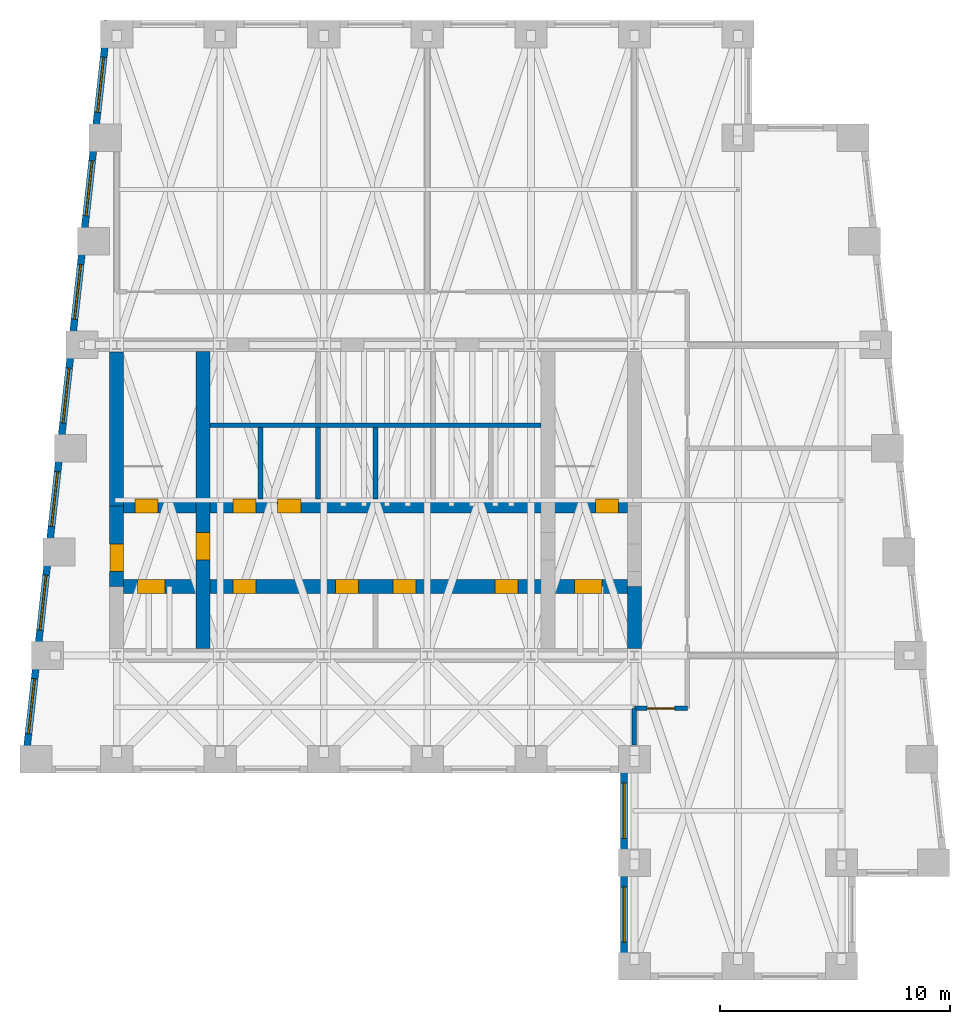
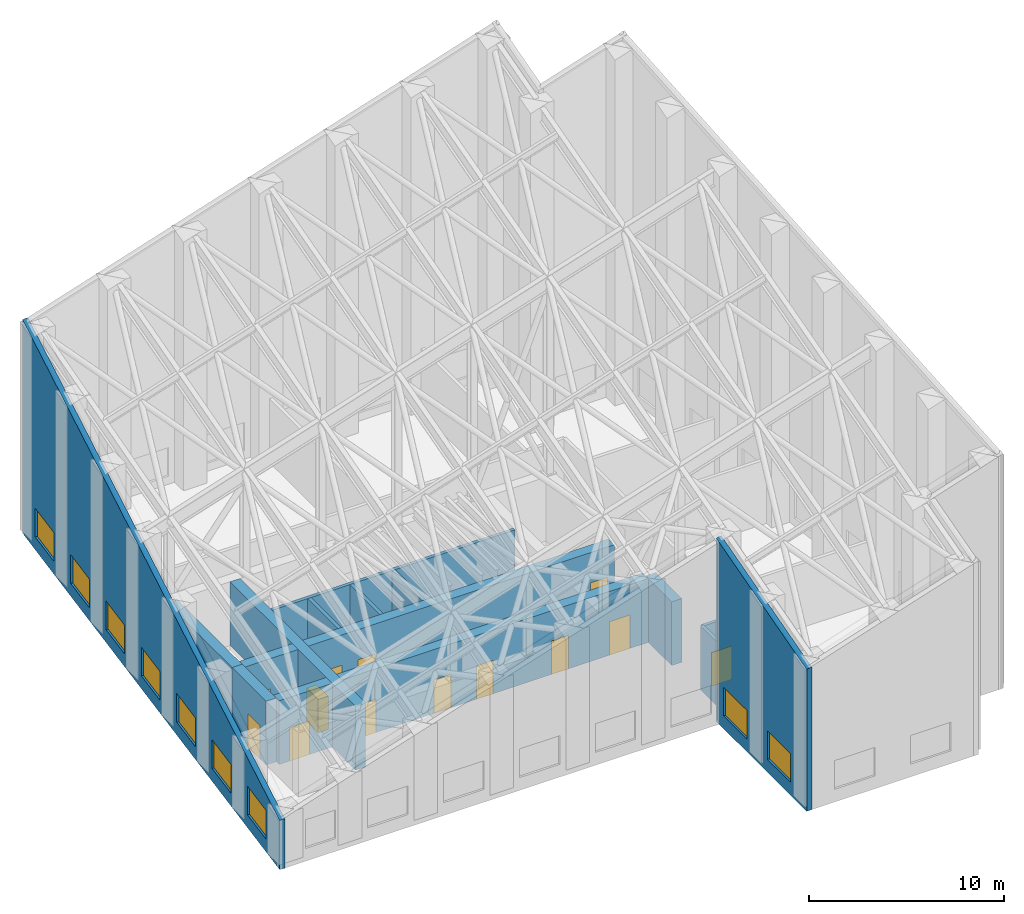
# One storey, part 4 of 7: 14 walls, 13 doors, 9 windows, 22 openings.
"""IFC4 building model written with IfcOpenShell, lengths in metres."""

import ifcopenshell
import ifcopenshell.guid

model = None  # the IFC model being written
_history = None  # IfcOwnerHistory: only IFC2X3 demands one
_inside = {}  # id of a spatial element -> (the spatial element, [elements in it])
_under = {}  # id of a project, library or spatial element -> (it, [spatial elements below it])
_declared = {}  # id of a project -> (the project, [libraries it declares])
_typed = {}  # id of a type object -> (the type object, [elements of that type])
_made_of = {}  # id of a material, layer set ... -> (it, [elements and type objects made of it])


def new_model(schema):
    """Start an empty IFC model of exactly this schema.

    Asked for "IFC4X3", IfcOpenShell would pick the latest addendum, in which some entities
    have other attributes; the version numbers below select the first issue.
    IFC2X3 requires an IfcOwnerHistory on every rooted entity: one is made here for all.
    """
    global model, _history
    if schema == "IFC4X3":
        model = ifcopenshell.file(schema_version=(4, 3, 0, 0))
    else:
        model = ifcopenshell.file(schema=schema)
    _inside.clear()
    _under.clear()
    _declared.clear()
    _typed.clear()
    _made_of.clear()
    _history = None
    if model.schema == "IFC2X3":
        org = make("IfcOrganization", Name="unknown")
        user = make(
            "IfcPersonAndOrganization",
            ThePerson=make("IfcPerson", FamilyName="unknown"),
            TheOrganization=org,
        )
        app = make(
            "IfcApplication",
            ApplicationDeveloper=org,
            Version="unknown",
            ApplicationFullName="unknown",
            ApplicationIdentifier="unknown",
        )
        _history = make(
            "IfcOwnerHistory",
            OwningUser=user,
            OwningApplication=app,
            ChangeAction="ADDED",
            CreationDate=0,
        )
    return model


def make(cls, **values):
    """One entity of the class cls with the attributes given. An attribute that is None is left unset."""
    return model.create_entity(
        cls, **{name: value for name, value in values.items() if value is not None}
    )


def rooted(cls, **values):
    """An entity with a GlobalId (a new one), such as an element, a storey or a relation."""
    return make(cls, GlobalId=ifcopenshell.guid.new(), OwnerHistory=_history, **values)


def si_unit(unit_type, name, prefix=None):
    """IfcSIUnit, for example si_unit("LENGTHUNIT", "METRE", prefix="MILLI")."""
    return make("IfcSIUnit", UnitType=unit_type, Prefix=prefix, Name=name)


def assignment(units):
    """IfcUnitAssignment: the units of a project."""
    return None if units is None else make("IfcUnitAssignment", Units=units)


def point(xyz):
    """IfcCartesianPoint."""
    return None if xyz is None else make("IfcCartesianPoint", Coordinates=xyz)


def direction(xyz):
    """IfcDirection."""
    return None if xyz is None else make("IfcDirection", DirectionRatios=xyz)


def frame(location, z_axis=None, x_axis=None):
    """IfcAxis2Placement3D, a coordinate frame: its origin and axes. An axis left out is left unset."""
    return make(
        "IfcAxis2Placement3D",
        Location=point(location),
        Axis=direction(z_axis),
        RefDirection=direction(x_axis),
    )


def frame_2d(location, x_axis=None):
    """IfcAxis2Placement2D, a coordinate frame in the plane: its origin and x axis."""
    return make(
        "IfcAxis2Placement2D", Location=point(location), RefDirection=direction(x_axis)
    )


def origin():
    """The frame at (0, 0, 0) with its axes left unset."""
    return frame((0.0, 0.0, 0.0))


def place(relative_to, where):
    """IfcLocalPlacement: puts the frame where relative to a parent placement (None: the world)."""
    return make(
        "IfcLocalPlacement", PlacementRelTo=relative_to, RelativePlacement=where
    )


def context(
    kind, dimensions, precision=None, world=None, true_north=None, identifier=None
):
    """IfcGeometricRepresentationContext, for example the 3D "Model" context."""
    return make(
        "IfcGeometricRepresentationContext",
        ContextIdentifier=identifier,
        ContextType=kind,
        CoordinateSpaceDimension=dimensions,
        Precision=precision,
        WorldCoordinateSystem=world,
        TrueNorth=true_north,
    )


def subcontext(parent, identifier, kind, view, scale=None):
    """IfcGeometricRepresentationSubContext, for example "Body" below "Model"."""
    return make(
        "IfcGeometricRepresentationSubContext",
        ContextIdentifier=identifier,
        ContextType=kind,
        ParentContext=parent,
        TargetScale=scale,
        TargetView=view,
    )


def project(units=None, contexts=None):
    """IfcProject with its units and contexts."""
    return rooted(
        "IfcProject",
        Name="project",
        RepresentationContexts=contexts,
        UnitsInContext=assignment(units),
    )


def spatial(cls, under=None, at=None, **own):
    """A site, building, storey or space (cls), placed at a placement, below another one or the project."""
    s = rooted(cls, ObjectPlacement=at, **own)
    if under is not None:
        _under.setdefault(under.id(), (under, []))[1].append(s)
    return s


def polyline(points):
    """IfcPolyline through the points."""
    return make("IfcPolyline", Points=[point(p) for p in points])


def profile(cls, at=None, kind="AREA", **sizes):
    """A parametric profile (cls). Its sizes go by their IFC names, for example OverallWidth=200.0."""
    return make(cls, ProfileType=kind, Position=at, **sizes)


def rectangle(**sizes):
    """IfcRectangleProfileDef."""
    return profile("IfcRectangleProfileDef", **sizes)


def outline(outer, holes=None, kind="AREA"):
    """IfcArbitraryClosedProfileDef: a profile drawn as a closed curve; with holes, ...WithVoids."""
    if holes is None:
        return make("IfcArbitraryClosedProfileDef", ProfileType=kind, OuterCurve=outer)
    return make(
        "IfcArbitraryProfileDefWithVoids",
        ProfileType=kind,
        OuterCurve=outer,
        InnerCurves=holes,
    )


def extrude(swept, where, along, depth):
    """IfcExtrudedAreaSolid: the profile swept, set in the frame where, extruded along a direction by depth."""
    return make(
        "IfcExtrudedAreaSolid",
        SweptArea=swept,
        Position=where,
        ExtrudedDirection=direction(along),
        Depth=depth,
    )


def clip(a, b, op="DIFFERENCE"):
    """IfcBooleanClippingResult: the solid a cut by the half space b."""
    return make(
        "IfcBooleanClippingResult", Operator=op, FirstOperand=a, SecondOperand=b
    )


def halfspace(plane, agree):
    """IfcHalfSpaceSolid: all space on one side of the plane z = 0 of the frame plane."""
    return make(
        "IfcHalfSpaceSolid",
        BaseSurface=make("IfcPlane", Position=plane),
        AgreementFlag=agree,
    )


def shape(context_of_items, identifier, shape_type, items):
    """IfcShapeRepresentation: the items that make up one representation, for example the "Body"."""
    return make(
        "IfcShapeRepresentation",
        ContextOfItems=context_of_items,
        RepresentationIdentifier=identifier,
        RepresentationType=shape_type,
        Items=items,
    )


def material(Name=None, Category=None):
    """IfcMaterial."""
    return make("IfcMaterial", Name=Name, Category=Category)


def layer(
    of_material, thickness, ventilated=None, Name=None, Category=None, Priority=None
):
    """IfcMaterialLayer: one layer of a wall or slab, of a material (None: an air gap)."""
    return make(
        "IfcMaterialLayer",
        Material=of_material,
        LayerThickness=thickness,
        IsVentilated=ventilated,
        Name=Name,
        Category=Category,
        Priority=Priority,
    )


def layer_set(layers, Name=None):
    """IfcMaterialLayerSet."""
    return make("IfcMaterialLayerSet", MaterialLayers=layers, LayerSetName=Name)


def made_of(thing, what):
    """Note that an element or type object is made of a material, layer set ...; save() writes the relation."""
    if what is not None:
        _made_of.setdefault(what.id(), (what, []))[1].append(thing)
    return thing


def type_object(cls, material=None, **own):
    """A type object (cls), such as IfcWallType, which elements share."""
    return made_of(rooted(cls, **own), material)


def element(
    cls,
    number,
    at=None,
    inside=None,
    cuts=None,
    type_object=None,
    material=None,
    context=None,
    identifier="Body",
    shape_type=None,
    held_by="IfcProductDefinitionShape",
    body=None,
    shapes=None,
    **own,
):
    """One element of the class cls, such as IfcWall. Its Tag is "e" and its number.

    at: its placement. inside: the storey or other place that contains it. cuts: it is an
    opening in that element (IfcRelVoidsElement). A single representation is given by context,
    identifier, shape_type and body (its items); several are given by shapes. held_by: the class
    of the entity that holds the representations. save() writes the other relations.
    """
    e = rooted(cls, Tag="e%d" % number, ObjectPlacement=at, **own)
    if body is not None:
        shapes = [shape(context, identifier, shape_type, body)]
    if shapes is not None:
        e.Representation = make(held_by, Representations=shapes)
    if inside is not None:
        _inside.setdefault(inside.id(), (inside, []))[1].append(e)
    if cuts is not None:
        rooted(
            "IfcRelVoidsElement", RelatingBuildingElement=cuts, RelatedOpeningElement=e
        )
    if type_object is not None:
        _typed.setdefault(type_object.id(), (type_object, []))[1].append(e)
    return made_of(e, material)


def fill(opening, filler):
    """IfcRelFillsElement: the door or window that sits in an opening."""
    return rooted(
        "IfcRelFillsElement",
        RelatingOpeningElement=opening,
        RelatedBuildingElement=filler,
    )


def aggregate(whole, parts):
    """IfcRelAggregates: a whole, such as a stair, and the parts it consists of."""
    return rooted("IfcRelAggregates", RelatingObject=whole, RelatedObjects=parts)


def save(model, path):
    """Write the relations noted so far, then the file.

    IfcRelAggregates (storeys below a building ...), IfcRelContainedInSpatialStructure (elements
    in a storey), IfcRelDefinesByType, IfcRelAssociatesMaterial and IfcRelDeclares: one each for
    every whole, place, type object, material and project.
    """
    for whole, parts in _under.values():
        aggregate(whole, parts)
    for where, things in _inside.values():
        rooted(
            "IfcRelContainedInSpatialStructure",
            RelatedElements=things,
            RelatingStructure=where,
        )
    for kind, things in _typed.values():
        rooted("IfcRelDefinesByType", RelatedObjects=things, RelatingType=kind)
    for what, things in _made_of.values():
        rooted("IfcRelAssociatesMaterial", RelatedObjects=things, RelatingMaterial=what)
    for by, libraries in _declared.values():
        rooted("IfcRelDeclares", RelatingContext=by, RelatedDefinitions=libraries)
    model.write(path)


model = new_model("IFC4")

# Units and contexts
model_context = context("Model", 3, precision=1e-05, world=origin(), true_north=direction((0.0, 1.0)))
body_context = subcontext(model_context, "Body", "Model", "MODEL_VIEW")
ifc_project = project(units=[si_unit("LENGTHUNIT", "METRE"), si_unit("AREAUNIT", "SQUARE_METRE"), si_unit("VOLUMEUNIT", "CUBIC_METRE"), si_unit("PLANEANGLEUNIT", "RADIAN"), si_unit("MASSUNIT", "GRAM", prefix="KILO")], contexts=[model_context])

# Site, building, storey
site_placement = place(None, origin())
site = spatial("IfcSite", under=ifc_project, at=site_placement, CompositionType="ELEMENT")
building_placement = place(site_placement, origin())
building = spatial("IfcBuilding", under=site, at=building_placement, Name="Kilele Tower Hotel", CompositionType="ELEMENT")
storey_placement = place(building_placement, frame((0.0, 0.0, 289.699951171875)))
storey = spatial("IfcBuildingStorey", under=building, at=storey_placement, Name="CROWN", CompositionType="ELEMENT", Elevation=289.699951171875)

# Wall, opening, door
ifc_material_1 = material(Name="Concrete C60/75", Category="concrete")
ifc_layer_1 = layer(ifc_material_1, 0.60009765625)
ifc_layer_set_1 = layer_set([ifc_layer_1], Name="Concrete C60/75")
wall_type_1 = type_object("IfcWallType", Name="Core wall 600 C60/75", PredefinedType="SHEAR", material=ifc_layer_set_1)
wall_1_placement = place(storey_placement, frame((17.25, 13.800048828125, 0.0), z_axis=(0.0, 0.0, 1.0), x_axis=(0.0, 1.0, 0.0)))
wall_1 = element("IfcWall", 1, at=wall_1_placement, inside=storey, type_object=wall_type_1, Name="Core wall IW CROWN", PredefinedType="SHEAR", context=body_context, shape_type="SweptSolid", body=[
    extrude(rectangle(XDim=12.89990234375, YDim=0.60009765625, at=frame_2d((6.449951171875, 0.0))), origin(), (0.0, 0.0, 1.0), 4.0),
])
opening_1_placement = place(wall_1_placement, frame((3.85009765625, 0.0, 0.0)))
opening_1 = element("IfcOpeningElement", 2, at=opening_1_placement, cuts=wall_1, Name="Opening D4", PredefinedType="OPENING", context=body_context, shape_type="SweptSolid", body=[
    extrude(rectangle(XDim=1.199951171875, YDim=2.10009765625, at=frame_2d((0.60009765625, 1.050048828125))), frame((0.0, 0.31005859375, 0.0), z_axis=(0.0, -1.0, 0.0), x_axis=(1.0, 0.0, 0.0)), (0.0, 0.0, 1.0), 0.6201171875),
])
ifc_material_2 = material(Name="Timber door leaf in hardwood frame", Category="wood")
door_type_1 = type_object("IfcDoorType", Name="Firefighting lobby door 1200", OperationType="SINGLE_SWING_LEFT", PredefinedType="DOOR", material=ifc_material_2)
door_1_placement = place(opening_1_placement, origin())
door_1 = element("IfcDoor", 3, at=door_1_placement, inside=storey, type_object=door_type_1, Name="Lobby door CROWN", OperationType="SINGLE_SWING_LEFT", OverallHeight=2.10009765625, OverallWidth=1.199951171875, PredefinedType="DOOR", context=body_context, shape_type="SweptSolid", body=[
    extrude(rectangle(XDim=1.199951171875, YDim=2.10009765625, at=frame_2d((0.60009765625, 1.050048828125))), frame((0.0, 0.2998046875, 0.0), z_axis=(0.0, -1.0, 0.0), x_axis=(1.0, 0.0, 0.0)), (0.0, 0.0, 1.0), 0.599609375),
])
fill(opening_1, door_1)

# Wall, openings, doors
wall_2_placement = place(storey_placement, frame((13.800048828125, 16.5, 0.0), z_axis=(0.0, 0.0, 1.0), x_axis=(1.0, 0.0, 0.0)))
wall_2 = element("IfcWall", 4, at=wall_2_placement, inside=storey, type_object=wall_type_1, Name="Core wall LS CROWN", PredefinedType="SHEAR", context=body_context, shape_type="SweptSolid", body=[
    extrude(rectangle(XDim=21.89990234375, YDim=0.60009765625, at=frame_2d((10.949951171875, 0.0))), origin(), (0.0, 0.0, 1.0), 4.0),
])
opening_2_placement = place(wall_2_placement, frame((5.75, 0.0, 0.0), z_axis=(0.0, 0.0, 1.0), x_axis=(-1.0, 0.0, 0.0)))
opening_2 = element("IfcOpeningElement", 5, at=opening_2_placement, cuts=wall_2, Name="Opening D11", PredefinedType="OPENING", context=body_context, shape_type="SweptSolid", body=[
    extrude(rectangle(XDim=1.0, YDim=2.10009765625, at=frame_2d((0.5, 1.050048828125))), frame((0.0, 0.31005859375, 0.0), z_axis=(0.0, -1.0, 0.0), x_axis=(1.0, 0.0, 0.0)), (0.0, 0.0, 1.0), 0.6201171875),
])
opening_3_placement = place(wall_2_placement, frame((10.199951171875, 0.0, 0.0), z_axis=(0.0, 0.0, 1.0), x_axis=(-1.0, 0.0, 0.0)))
opening_3 = element("IfcOpeningElement", 6, at=opening_3_placement, cuts=wall_2, Name="Opening D11", PredefinedType="OPENING", context=body_context, shape_type="SweptSolid", body=[
    extrude(rectangle(XDim=1.0, YDim=2.10009765625, at=frame_2d((0.5, 1.050048828125))), frame((0.0, 0.31005859375, 0.0), z_axis=(0.0, -1.0, 0.0), x_axis=(1.0, 0.0, 0.0)), (0.0, 0.0, 1.0), 0.6201171875),
])
opening_4_placement = place(wall_2_placement, frame((12.699951171875, 0.0, 0.0), z_axis=(0.0, 0.0, 1.0), x_axis=(-1.0, 0.0, 0.0)))
opening_4 = element("IfcOpeningElement", 7, at=opening_4_placement, cuts=wall_2, Name="Opening D11", PredefinedType="OPENING", context=body_context, shape_type="SweptSolid", body=[
    extrude(rectangle(XDim=1.0, YDim=2.10009765625, at=frame_2d((0.5, 1.050048828125))), frame((0.0, 0.31005859375, 0.0), z_axis=(0.0, -1.0, 0.0), x_axis=(1.0, 0.0, 0.0)), (0.0, 0.0, 1.0), 0.6201171875),
])
opening_5_placement = place(wall_2_placement, frame((17.14990234375, 0.0, 0.0), z_axis=(0.0, 0.0, 1.0), x_axis=(-1.0, 0.0, 0.0)))
opening_5 = element("IfcOpeningElement", 8, at=opening_5_placement, cuts=wall_2, Name="Opening D11", PredefinedType="OPENING", context=body_context, shape_type="SweptSolid", body=[
    extrude(rectangle(XDim=1.0, YDim=2.10009765625, at=frame_2d((0.5, 1.050048828125))), frame((0.0, 0.31005859375, 0.0), z_axis=(0.0, -1.0, 0.0), x_axis=(1.0, 0.0, 0.0)), (0.0, 0.0, 1.0), 0.6201171875),
])
opening_6_placement = place(wall_2_placement, frame((0.60009765625, 0.0, 0.0)))
opening_6 = element("IfcOpeningElement", 9, at=opening_6_placement, cuts=wall_2, Name="Opening LD2", PredefinedType="OPENING", context=body_context, shape_type="SweptSolid", body=[
    extrude(rectangle(XDim=1.199951171875, YDim=2.10009765625, at=frame_2d((0.60009765625, 1.050048828125))), frame((0.0, 0.31005859375, 0.0), z_axis=(0.0, -1.0, 0.0), x_axis=(1.0, 0.0, 0.0)), (0.0, 0.0, 1.0), 0.6201171875),
])
opening_7_placement = place(wall_2_placement, frame((19.60009765625, 0.0, 0.0)))
opening_7 = element("IfcOpeningElement", 10, at=opening_7_placement, cuts=wall_2, Name="Opening LD2", PredefinedType="OPENING", context=body_context, shape_type="SweptSolid", body=[
    extrude(rectangle(XDim=1.199951171875, YDim=2.10009765625, at=frame_2d((0.60009765625, 1.050048828125))), frame((0.0, 0.31005859375, 0.0), z_axis=(0.0, -1.0, 0.0), x_axis=(1.0, 0.0, 0.0)), (0.0, 0.0, 1.0), 0.6201171875),
])
ifc_material_3 = material(Name="Timber door leaf in hardwood frame", Category="wood")
door_type_2 = type_object("IfcDoorType", Name="Core store door 1000", OperationType="SINGLE_SWING_LEFT", PredefinedType="DOOR", material=ifc_material_3)
door_2_placement = place(opening_2_placement, origin())
door_2 = element("IfcDoor", 11, at=door_2_placement, inside=storey, type_object=door_type_2, Name="Core room door L1 CROWN", OperationType="SINGLE_SWING_RIGHT", OverallHeight=2.10009765625, OverallWidth=1.0, PredefinedType="DOOR", context=body_context, shape_type="SweptSolid", body=[
    extrude(rectangle(XDim=1.0, YDim=2.10009765625, at=frame_2d((0.5, 1.050048828125))), frame((0.0, 0.2998046875, 0.0), z_axis=(0.0, -1.0, 0.0), x_axis=(1.0, 0.0, 0.0)), (0.0, 0.0, 1.0), 0.599609375),
])
fill(opening_2, door_2)
door_3_placement = place(opening_3_placement, origin())
door_3 = element("IfcDoor", 12, at=door_3_placement, inside=storey, type_object=door_type_2, Name="Core room door L3 CROWN", OperationType="SINGLE_SWING_LEFT", OverallHeight=2.10009765625, OverallWidth=1.0, PredefinedType="DOOR", context=body_context, shape_type="SweptSolid", body=[
    extrude(rectangle(XDim=1.0, YDim=2.10009765625, at=frame_2d((0.5, 1.050048828125))), frame((0.0, 0.2998046875, 0.0), z_axis=(0.0, -1.0, 0.0), x_axis=(1.0, 0.0, 0.0)), (0.0, 0.0, 1.0), 0.599609375),
])
fill(opening_3, door_3)
door_4_placement = place(opening_4_placement, origin())
door_4 = element("IfcDoor", 13, at=door_4_placement, inside=storey, type_object=door_type_2, Name="Core room door M1 CROWN", OperationType="SINGLE_SWING_RIGHT", OverallHeight=2.10009765625, OverallWidth=1.0, PredefinedType="DOOR", context=body_context, shape_type="SweptSolid", body=[
    extrude(rectangle(XDim=1.0, YDim=2.10009765625, at=frame_2d((0.5, 1.050048828125))), frame((0.0, 0.2998046875, 0.0), z_axis=(0.0, -1.0, 0.0), x_axis=(1.0, 0.0, 0.0)), (0.0, 0.0, 1.0), 0.599609375),
])
fill(opening_4, door_4)
door_5_placement = place(opening_5_placement, origin())
door_5 = element("IfcDoor", 14, at=door_5_placement, inside=storey, type_object=door_type_2, Name="Core room door M3 CROWN", OperationType="SINGLE_SWING_LEFT", OverallHeight=2.10009765625, OverallWidth=1.0, PredefinedType="DOOR", context=body_context, shape_type="SweptSolid", body=[
    extrude(rectangle(XDim=1.0, YDim=2.10009765625, at=frame_2d((0.5, 1.050048828125))), frame((0.0, 0.2998046875, 0.0), z_axis=(0.0, -1.0, 0.0), x_axis=(1.0, 0.0, 0.0)), (0.0, 0.0, 1.0), 0.599609375),
])
fill(opening_5, door_5)
ifc_material_4 = material(Name="Steel lift landing door", Category="steel")
door_type_3 = type_object("IfcDoorType", Name="Firefighting lift landing door 1200", OperationType="SLIDING_TO_LEFT", PredefinedType="DOOR", material=ifc_material_4)
door_6_placement = place(opening_6_placement, origin())
door_6 = element("IfcDoor", 15, at=door_6_placement, inside=storey, type_object=door_type_3, Name="Landing door FFW CROWN", OperationType="SLIDING_TO_LEFT", OverallHeight=2.10009765625, OverallWidth=1.199951171875, PredefinedType="DOOR", context=body_context, shape_type="SweptSolid", body=[
    extrude(rectangle(XDim=1.199951171875, YDim=2.10009765625, at=frame_2d((0.60009765625, 1.050048828125))), frame((0.0, 0.2998046875, 0.0), z_axis=(0.0, -1.0, 0.0), x_axis=(1.0, 0.0, 0.0)), (0.0, 0.0, 1.0), 0.599609375),
])
fill(opening_6, door_6)
door_7_placement = place(opening_7_placement, origin())
door_7 = element("IfcDoor", 16, at=door_7_placement, inside=storey, type_object=door_type_3, Name="Landing door FFE CROWN", OperationType="SLIDING_TO_LEFT", OverallHeight=2.10009765625, OverallWidth=1.199951171875, PredefinedType="DOOR", context=body_context, shape_type="SweptSolid", body=[
    extrude(rectangle(XDim=1.199951171875, YDim=2.10009765625, at=frame_2d((0.60009765625, 1.050048828125))), frame((0.0, 0.2998046875, 0.0), z_axis=(0.0, -1.0, 0.0), x_axis=(1.0, 0.0, 0.0)), (0.0, 0.0, 1.0), 0.599609375),
])
fill(opening_7, door_7)

wall_3_placement = place(storey_placement, frame((13.800048828125, 20.0, 0.0), z_axis=(0.0, 0.0, 1.0), x_axis=(1.0, 0.0, 0.0)))
wall_3 = element("IfcWall", 17, at=wall_3_placement, inside=storey, type_object=wall_type_1, Name="Core wall LN CROWN", PredefinedType="SHEAR", context=body_context, shape_type="SweptSolid", body=[
    extrude(rectangle(XDim=21.89990234375, YDim=0.60009765625, at=frame_2d((10.949951171875, 0.0))), origin(), (0.0, 0.0, 1.0), 4.0),
])
opening_8_placement = place(wall_3_placement, frame((0.5, 0.0, 0.0)))
opening_8 = element("IfcOpeningElement", 18, at=opening_8_placement, cuts=wall_3, Name="Opening D5", PredefinedType="OPENING", context=body_context, shape_type="SweptSolid", body=[
    extrude(rectangle(XDim=1.0, YDim=2.10009765625, at=frame_2d((0.5, 1.050048828125))), frame((0.0, 0.31005859375, 0.0), z_axis=(0.0, -1.0, 0.0), x_axis=(1.0, 0.0, 0.0)), (0.0, 0.0, 1.0), 0.6201171875),
])
opening_9_placement = place(wall_3_placement, frame((20.5, 0.0, 0.0)))
opening_9 = element("IfcOpeningElement", 19, at=opening_9_placement, cuts=wall_3, Name="Opening D5", PredefinedType="OPENING", context=body_context, shape_type="SweptSolid", body=[
    extrude(rectangle(XDim=1.0, YDim=2.10009765625, at=frame_2d((0.5, 1.050048828125))), frame((0.0, 0.31005859375, 0.0), z_axis=(0.0, -1.0, 0.0), x_axis=(1.0, 0.0, 0.0)), (0.0, 0.0, 1.0), 0.6201171875),
])
opening_10_placement = place(wall_3_placement, frame((4.75, 0.0, 0.0)))
opening_10 = element("IfcOpeningElement", 20, at=opening_10_placement, cuts=wall_3, Name="Opening D11", PredefinedType="OPENING", context=body_context, shape_type="SweptSolid", body=[
    extrude(rectangle(XDim=1.0, YDim=2.10009765625, at=frame_2d((0.5, 1.050048828125))), frame((0.0, 0.31005859375, 0.0), z_axis=(0.0, -1.0, 0.0), x_axis=(1.0, 0.0, 0.0)), (0.0, 0.0, 1.0), 0.6201171875),
])
opening_11_placement = place(wall_3_placement, frame((6.699951171875, 0.0, 0.0)))
opening_11 = element("IfcOpeningElement", 21, at=opening_11_placement, cuts=wall_3, Name="Opening D11", PredefinedType="OPENING", context=body_context, shape_type="SweptSolid", body=[
    extrude(rectangle(XDim=1.0, YDim=2.10009765625, at=frame_2d((0.5, 1.050048828125))), frame((0.0, 0.31005859375, 0.0), z_axis=(0.0, -1.0, 0.0), x_axis=(1.0, 0.0, 0.0)), (0.0, 0.0, 1.0), 0.6201171875),
])
door_8_placement = place(opening_10_placement, origin())
door_8 = element("IfcDoor", 22, at=door_8_placement, inside=storey, type_object=door_type_2, Name="Core room door S1 CROWN", OperationType="SINGLE_SWING_RIGHT", OverallHeight=2.10009765625, OverallWidth=1.0, PredefinedType="DOOR", context=body_context, shape_type="SweptSolid", body=[
    extrude(rectangle(XDim=1.0, YDim=2.10009765625, at=frame_2d((0.5, 1.050048828125))), frame((0.0, 0.2998046875, 0.0), z_axis=(0.0, -1.0, 0.0), x_axis=(1.0, 0.0, 0.0)), (0.0, 0.0, 1.0), 0.599609375),
])
fill(opening_10, door_8)
door_9_placement = place(opening_11_placement, origin())
door_9 = element("IfcDoor", 23, at=door_9_placement, inside=storey, type_object=door_type_2, Name="Core room door S2 CROWN", OperationType="SINGLE_SWING_LEFT", OverallHeight=2.10009765625, OverallWidth=1.0, PredefinedType="DOOR", context=body_context, shape_type="SweptSolid", body=[
    extrude(rectangle(XDim=1.0, YDim=2.10009765625, at=frame_2d((0.5, 1.050048828125))), frame((0.0, 0.2998046875, 0.0), z_axis=(0.0, -1.0, 0.0), x_axis=(1.0, 0.0, 0.0)), (0.0, 0.0, 1.0), 0.599609375),
])
fill(opening_11, door_9)
ifc_material_5 = material(Name="Timber door leaf in hardwood frame", Category="wood")
door_type_4 = type_object("IfcDoorType", Name="Stair door 1000", OperationType="SINGLE_SWING_LEFT", PredefinedType="DOOR", material=ifc_material_5)
door_10_placement = place(opening_8_placement, origin())
door_10 = element("IfcDoor", 24, at=door_10_placement, inside=storey, type_object=door_type_4, Name="Stair 1 door CROWN", OperationType="SINGLE_SWING_LEFT", OverallHeight=2.10009765625, OverallWidth=1.0, PredefinedType="DOOR", context=body_context, shape_type="SweptSolid", body=[
    extrude(rectangle(XDim=1.0, YDim=2.10009765625, at=frame_2d((0.5, 1.050048828125))), frame((0.0, 0.2998046875, 0.0), z_axis=(0.0, -1.0, 0.0), x_axis=(1.0, 0.0, 0.0)), (0.0, 0.0, 1.0), 0.599609375),
])
fill(opening_8, door_10)
door_11_placement = place(opening_9_placement, origin())
door_11 = element("IfcDoor", 25, at=door_11_placement, inside=storey, type_object=door_type_4, Name="Stair 2 door CROWN", OperationType="SINGLE_SWING_RIGHT", OverallHeight=2.10009765625, OverallWidth=1.0, PredefinedType="DOOR", context=body_context, shape_type="SweptSolid", body=[
    extrude(rectangle(XDim=1.0, YDim=2.10009765625, at=frame_2d((0.5, 1.050048828125))), frame((0.0, 0.2998046875, 0.0), z_axis=(0.0, -1.0, 0.0), x_axis=(1.0, 0.0, 0.0)), (0.0, 0.0, 1.0), 0.599609375),
])
fill(opening_9, door_11)

# Wall
wall_4_placement = place(storey_placement, frame((13.5, 26.699951171875, 0.0), z_axis=(0.0, 0.0, 1.0), x_axis=(0.0, -1.0, 0.0)))
element("IfcWall", 26, at=wall_4_placement, inside=storey, type_object=wall_type_1, Name="Core wall W1 CROWN", PredefinedType="SHEAR", context=body_context, shape_type="SweptSolid", body=[
    extrude(rectangle(XDim=6.699951171875, YDim=0.60009765625, at=frame_2d((3.35009765625, 0.0))), origin(), (0.0, 0.0, 1.0), 4.0),
])

# Wall, opening, door
wall_5_placement = place(storey_placement, frame((13.5, 20.0, 0.0), z_axis=(0.0, 0.0, 1.0), x_axis=(0.0, -1.0, 0.0)))
wall_5 = element("IfcWall", 27, at=wall_5_placement, inside=storey, type_object=wall_type_1, Name="Core wall W2 CROWN", PredefinedType="SHEAR", context=body_context, shape_type="SweptSolid", body=[
    extrude(rectangle(XDim=3.5, YDim=0.60009765625, at=frame_2d((1.75, 0.0))), origin(), (0.0, 0.0, 1.0), 4.0),
])
opening_12_placement = place(wall_5_placement, frame((1.64990234375, 0.0, 0.0)))
opening_12 = element("IfcOpeningElement", 28, at=opening_12_placement, cuts=wall_5, Name="Opening D4", PredefinedType="OPENING", context=body_context, shape_type="SweptSolid", body=[
    extrude(rectangle(XDim=1.199951171875, YDim=2.10009765625, at=frame_2d((0.60009765625, 1.050048828125))), frame((0.0, 0.31005859375, 0.0), z_axis=(0.0, -1.0, 0.0), x_axis=(1.0, 0.0, 0.0)), (0.0, 0.0, 1.0), 0.6201171875),
])
door_12_placement = place(opening_12_placement, origin())
door_12 = element("IfcDoor", 29, at=door_12_placement, inside=storey, type_object=door_type_1, Name="Lobby door CROWN", OperationType="SINGLE_SWING_RIGHT", OverallHeight=2.10009765625, OverallWidth=1.199951171875, PredefinedType="DOOR", context=body_context, shape_type="SweptSolid", body=[
    extrude(rectangle(XDim=1.199951171875, YDim=2.10009765625, at=frame_2d((0.60009765625, 1.050048828125))), frame((0.0, 0.2998046875, 0.0), z_axis=(0.0, -1.0, 0.0), x_axis=(1.0, 0.0, 0.0)), (0.0, 0.0, 1.0), 0.599609375),
])
fill(opening_12, door_12)

# Wall
wall_6_placement = place(storey_placement, frame((36.0, 13.800048828125, 0.0), z_axis=(0.0, 0.0, 1.0), x_axis=(0.0, 1.0, 0.0)))
element("IfcWall", 30, at=wall_6_placement, inside=storey, type_object=wall_type_1, Name="Core wall E1 CROWN", PredefinedType="SHEAR", context=body_context, shape_type="SweptSolid", body=[
    extrude(rectangle(XDim=2.699951171875, YDim=0.60009765625, at=frame_2d((1.35009765625, 0.0))), origin(), (0.0, 0.0, 1.0), 4.0),
])

# Wall, opening, door
ifc_material_6 = material(Name="Blockwork, plastered both sides", Category="masonry")
ifc_layer_2 = layer(ifc_material_6, 0.199951171875)
ifc_layer_set_2 = layer_set([ifc_layer_2], Name="Blockwork, plastered both sides")
wall_type_2 = type_object("IfcWallType", Name="Corridor wall 200", PredefinedType="PARTITIONING", material=ifc_layer_set_2)
wall_7_placement = place(storey_placement, frame((36.0, 11.199951171875, 0.0), z_axis=(0.0, 0.0, 1.0), x_axis=(1.0, 0.0, 0.0)))
wall_7 = element("IfcWall", 31, at=wall_7_placement, inside=storey, type_object=wall_type_2, Name="Corridor wall 200 CROWN", PredefinedType="PARTITIONING", context=body_context, shape_type="SweptSolid", body=[
    extrude(rectangle(XDim=2.300048828125, YDim=0.199951171875, at=frame_2d((1.14990234375, 0.0))), origin(), (0.0, 0.0, 1.0), 4.0),
])
opening_13_placement = place(wall_7_placement, frame((1.75, 0.0, 0.0), z_axis=(0.0, 0.0, 1.0), x_axis=(-1.0, 0.0, 0.0)))
opening_13 = element("IfcOpeningElement", 32, at=opening_13_placement, cuts=wall_7, Name="Opening D7A", PredefinedType="OPENING", context=body_context, shape_type="SweptSolid", body=[
    extrude(rectangle(XDim=1.199951171875, YDim=2.10009765625, at=frame_2d((0.60009765625, 1.050048828125))), frame((0.0, 0.10986328125, 0.0), z_axis=(0.0, -1.0, 0.0), x_axis=(1.0, 0.0, 0.0)), (0.0, 0.0, 1.0), 0.219970703125),
])
ifc_material_7 = material(Name="Timber door leaf in hardwood frame", Category="wood")
door_type_5 = type_object("IfcDoorType", Name="Plant room door 1200", OperationType="SINGLE_SWING_LEFT", PredefinedType="DOOR", material=ifc_material_7)
door_13_placement = place(opening_13_placement, origin())
door_13 = element("IfcDoor", 33, at=door_13_placement, inside=storey, type_object=door_type_5, Name="Door Cooling tower enclosure CROWN05", OperationType="SINGLE_SWING_RIGHT", OverallHeight=2.10009765625, OverallWidth=1.199951171875, PredefinedType="DOOR", context=body_context, shape_type="SweptSolid", body=[
    extrude(rectangle(XDim=1.199951171875, YDim=2.10009765625, at=frame_2d((0.60009765625, 1.050048828125))), frame((0.0, 0.02490234375, 0.0), z_axis=(0.0, -1.0, 0.0), x_axis=(1.0, 0.0, 0.0)), (0.0, 0.0, 1.0), 0.050048828125),
])
fill(opening_13, door_13)

# Wall
ifc_material_8 = material(Name="Blockwork, plastered both sides", Category="masonry")
ifc_layer_3 = layer(ifc_material_8, 0.199951171875)
ifc_layer_set_3 = layer_set([ifc_layer_3], Name="Blockwork, plastered both sides")
wall_type_3 = type_object("IfcWallType", Name="Partition wall 200", PredefinedType="PARTITIONING", material=ifc_layer_set_3)
wall_8_placement = place(storey_placement, frame((36.0, 11.199951171875, 0.0), z_axis=(0.0, 0.0, 1.0), x_axis=(0.0, -1.0, 0.0)))
element("IfcWall", 34, at=wall_8_placement, inside=storey, type_object=wall_type_3, Name="Partition wall 200 CROWN", PredefinedType="PARTITIONING", context=body_context, shape_type="SweptSolid", body=[
    extrude(rectangle(XDim=1.58984375, YDim=0.199951171875, at=frame_2d((0.794921875, 0.0))), origin(), (0.0, 0.0, 1.0), 4.0),
])

# Wall, openings, windows
ifc_material_9 = material(Name="Concrete C40/50 precast", Category="concrete")
ifc_layer_4 = layer(ifc_material_9, 0.260009765625, Name="Precast backing", Category="LoadBearing")
ifc_material_10 = material(Name="Reconstituted stone finish", Category="masonry")
ifc_layer_5 = layer(ifc_material_10, 0.0400390625, Name="Face mix", Category="Finish")
ifc_layer_set_4 = layer_set([ifc_layer_4, ifc_layer_5], Name="Precast concrete C40/50, reconstituted stone finish")
wall_type_4 = type_object("IfcWallType", Name="Precast stone facade wall 300", PredefinedType="STANDARD", material=ifc_layer_set_4)
wall_9_placement = place(storey_placement, frame((35.550048828125, 8.699951171875, -0.300048828125), z_axis=(0.0, 0.0, 1.0), x_axis=(0.0, -1.0, 0.0)))
wall_9 = element("IfcWall", 35, at=wall_9_placement, inside=storey, type_object=wall_type_4, Name="Facade wall CROWN edge 2", PredefinedType="STANDARD", context=body_context, shape_type="Clipping", body=[
    clip(extrude(outline(polyline([(0.0, 0.0), (9.300048828125, 0.0), (9.300048828125, 8.938720703125), (0.0, 11.542724609375), (0.0, 0.0)])), frame((0.0, 0.14990234375, 0.0), z_axis=(0.0, -1.0, 0.0), x_axis=(1.0, 0.0, 0.0)), (0.0, 0.0, 1.0), 0.300048828125), halfspace(frame((0.0, 0.0, 11.542724609375), z_axis=(0.25767390908, -0.294483896091, 0.920262675285), x_axis=(0.962963921905, 0.0, -0.269630274838)), False)),
])
opening_14_placement = place(wall_9_placement, frame((0.75, 0.0, 0.800048828125)))
opening_14 = element("IfcOpeningElement", 36, at=opening_14_placement, cuts=wall_9, Name="Opening LV2", PredefinedType="OPENING", context=body_context, shape_type="SweptSolid", body=[
    extrude(rectangle(XDim=2.39990234375, YDim=1.800048828125, at=frame_2d((1.199951171875, 0.89990234375))), frame((0.0, 0.159912109375, 0.0), z_axis=(0.0, -1.0, 0.0), x_axis=(1.0, 0.0, 0.0)), (0.0, 0.0, 1.0), 0.320068359375),
])
opening_15_placement = place(wall_9_placement, frame((5.25, 0.0, 0.800048828125)))
opening_15 = element("IfcOpeningElement", 37, at=opening_15_placement, cuts=wall_9, Name="Opening LV2", PredefinedType="OPENING", context=body_context, shape_type="SweptSolid", body=[
    extrude(rectangle(XDim=2.39990234375, YDim=1.800048828125, at=frame_2d((1.199951171875, 0.89990234375))), frame((0.0, 0.159912109375, 0.0), z_axis=(0.0, -1.0, 0.0), x_axis=(1.0, 0.0, 0.0)), (0.0, 0.0, 1.0), 0.320068359375),
])
ifc_material_11 = material(Name="Aluminium weather louvre with insect mesh", Category="aluminium")
window_type = type_object("IfcWindowType", Name="Crown plant louvre 2400 x 1800", PartitioningType="SINGLE_PANEL", PredefinedType="USERDEFINED", material=ifc_material_11)
window_1_placement = place(opening_14_placement, origin())
window_1 = element("IfcWindow", 38, at=window_1_placement, inside=storey, type_object=window_type, Name="Louvre CROWN", ObjectType="LOUVRE", OverallHeight=1.800048828125, OverallWidth=2.39990234375, PartitioningType="SINGLE_PANEL", PredefinedType="USERDEFINED", context=body_context, shape_type="SweptSolid", body=[
    extrude(rectangle(XDim=2.39990234375, YDim=1.800048828125, at=frame_2d((1.199951171875, 0.89990234375))), frame((0.0, 0.030029296875, 0.0), z_axis=(0.0, -1.0, 0.0), x_axis=(1.0, 0.0, 0.0)), (0.0, 0.0, 1.0), 0.06005859375),
])
fill(opening_14, window_1)
window_2_placement = place(opening_15_placement, origin())
window_2 = element("IfcWindow", 39, at=window_2_placement, inside=storey, type_object=window_type, Name="Louvre CROWN", ObjectType="LOUVRE", OverallHeight=1.800048828125, OverallWidth=2.39990234375, PartitioningType="SINGLE_PANEL", PredefinedType="USERDEFINED", context=body_context, shape_type="SweptSolid", body=[
    extrude(rectangle(XDim=2.39990234375, YDim=1.800048828125, at=frame_2d((1.199951171875, 0.89990234375))), frame((0.0, 0.030029296875, 0.0), z_axis=(0.0, -1.0, 0.0), x_axis=(1.0, 0.0, 0.0)), (0.0, 0.0, 1.0), 0.06005859375),
])
fill(opening_15, window_2)

wall_10_placement = place(storey_placement, frame((13.11376953125, 41.09912109375, -0.300048828125), z_axis=(0.0, 0.0, 1.0), x_axis=(-0.110429082637, -0.993884006164, 0.0)))
wall_10 = element("IfcWall", 40, at=wall_10_placement, inside=storey, type_object=wall_type_4, Name="Facade wall CROWN edge 10", PredefinedType="STANDARD", context=body_context, shape_type="Clipping", body=[
    clip(extrude(outline(polyline([(0.0, 0.0), (32.8994140625, 0.0), (32.8994140625, 3.11669921875), (0.0, 13.434814453125), (0.0, 0.0)])), frame((0.0, 0.14990234375, 0.0), z_axis=(0.0, -1.0, 0.0), x_axis=(1.0, 0.0, 0.0)), (0.0, 0.0, 1.0), 0.300048828125), halfspace(frame((0.0, 0.0, 13.434814453125), z_axis=(0.288617563537, -0.264228140999, 0.920262675285), x_axis=(0.954173815871, 0.0, -0.299252951709)), False)),
])
opening_16_placement = place(wall_10_placement, frame((1.61669921875, 0.0, 0.800048828125)))
opening_16 = element("IfcOpeningElement", 41, at=opening_16_placement, cuts=wall_10, Name="Opening LV2", PredefinedType="OPENING", context=body_context, shape_type="SweptSolid", body=[
    extrude(rectangle(XDim=2.39990234375, YDim=1.800048828125, at=frame_2d((1.199951171875, 0.89990234375))), frame((0.0, 0.159912109375, 0.0), z_axis=(0.0, -1.0, 0.0), x_axis=(1.0, 0.0, 0.0)), (0.0, 0.0, 1.0), 0.320068359375),
])
opening_17_placement = place(wall_10_placement, frame((6.144775390625, 0.0, 0.800048828125)))
opening_17 = element("IfcOpeningElement", 42, at=opening_17_placement, cuts=wall_10, Name="Opening LV2", PredefinedType="OPENING", context=body_context, shape_type="SweptSolid", body=[
    extrude(rectangle(XDim=2.39990234375, YDim=1.800048828125, at=frame_2d((1.199951171875, 0.89990234375))), frame((0.0, 0.159912109375, 0.0), z_axis=(0.0, -1.0, 0.0), x_axis=(1.0, 0.0, 0.0)), (0.0, 0.0, 1.0), 0.320068359375),
])
opening_18_placement = place(wall_10_placement, frame((10.671875, 0.0, 0.800048828125)))
opening_18 = element("IfcOpeningElement", 43, at=opening_18_placement, cuts=wall_10, Name="Opening LV2", PredefinedType="OPENING", context=body_context, shape_type="SweptSolid", body=[
    extrude(rectangle(XDim=2.39990234375, YDim=1.800048828125, at=frame_2d((1.199951171875, 0.89990234375))), frame((0.0, 0.159912109375, 0.0), z_axis=(0.0, -1.0, 0.0), x_axis=(1.0, 0.0, 0.0)), (0.0, 0.0, 1.0), 0.320068359375),
])
opening_19_placement = place(wall_10_placement, frame((15.19970703125, 0.0, 0.800048828125)))
opening_19 = element("IfcOpeningElement", 44, at=opening_19_placement, cuts=wall_10, Name="Opening LV2", PredefinedType="OPENING", context=body_context, shape_type="SweptSolid", body=[
    extrude(rectangle(XDim=2.39990234375, YDim=1.800048828125, at=frame_2d((1.199951171875, 0.89990234375))), frame((0.0, 0.159912109375, 0.0), z_axis=(0.0, -1.0, 0.0), x_axis=(1.0, 0.0, 0.0)), (0.0, 0.0, 1.0), 0.320068359375),
])
opening_20_placement = place(wall_10_placement, frame((19.727783203125, 0.0, 0.800048828125)))
opening_20 = element("IfcOpeningElement", 45, at=opening_20_placement, cuts=wall_10, Name="Opening LV2", PredefinedType="OPENING", context=body_context, shape_type="SweptSolid", body=[
    extrude(rectangle(XDim=2.39990234375, YDim=1.800048828125, at=frame_2d((1.199951171875, 0.89990234375))), frame((0.0, 0.159912109375, 0.0), z_axis=(0.0, -1.0, 0.0), x_axis=(1.0, 0.0, 0.0)), (0.0, 0.0, 1.0), 0.320068359375),
])
opening_21_placement = place(wall_10_placement, frame((24.2548828125, 0.0, 0.800048828125)))
opening_21 = element("IfcOpeningElement", 46, at=opening_21_placement, cuts=wall_10, Name="Opening LV2", PredefinedType="OPENING", context=body_context, shape_type="SweptSolid", body=[
    extrude(rectangle(XDim=2.39990234375, YDim=1.800048828125, at=frame_2d((1.199951171875, 0.89990234375))), frame((0.0, 0.159912109375, 0.0), z_axis=(0.0, -1.0, 0.0), x_axis=(1.0, 0.0, 0.0)), (0.0, 0.0, 1.0), 0.320068359375),
])
opening_22_placement = place(wall_10_placement, frame((28.78271484375, 0.0, 0.800048828125)))
opening_22 = element("IfcOpeningElement", 47, at=opening_22_placement, cuts=wall_10, Name="Opening LV2", PredefinedType="OPENING", context=body_context, shape_type="SweptSolid", body=[
    extrude(rectangle(XDim=2.39990234375, YDim=1.800048828125, at=frame_2d((1.199951171875, 0.89990234375))), frame((0.0, 0.159912109375, 0.0), z_axis=(0.0, -1.0, 0.0), x_axis=(1.0, 0.0, 0.0)), (0.0, 0.0, 1.0), 0.320068359375),
])
window_3_placement = place(opening_16_placement, origin())
window_3 = element("IfcWindow", 48, at=window_3_placement, inside=storey, type_object=window_type, Name="Louvre CROWN", ObjectType="LOUVRE", OverallHeight=1.800048828125, OverallWidth=2.39990234375, PartitioningType="SINGLE_PANEL", PredefinedType="USERDEFINED", context=body_context, shape_type="SweptSolid", body=[
    extrude(rectangle(XDim=2.39990234375, YDim=1.800048828125, at=frame_2d((1.199951171875, 0.89990234375))), frame((0.0, 0.030029296875, 0.0), z_axis=(0.0, -1.0, 0.0), x_axis=(1.0, 0.0, 0.0)), (0.0, 0.0, 1.0), 0.06005859375),
])
fill(opening_16, window_3)
window_4_placement = place(opening_17_placement, origin())
window_4 = element("IfcWindow", 49, at=window_4_placement, inside=storey, type_object=window_type, Name="Louvre CROWN", ObjectType="LOUVRE", OverallHeight=1.800048828125, OverallWidth=2.39990234375, PartitioningType="SINGLE_PANEL", PredefinedType="USERDEFINED", context=body_context, shape_type="SweptSolid", body=[
    extrude(rectangle(XDim=2.39990234375, YDim=1.800048828125, at=frame_2d((1.199951171875, 0.89990234375))), frame((0.0, 0.030029296875, 0.0), z_axis=(0.0, -1.0, 0.0), x_axis=(1.0, 0.0, 0.0)), (0.0, 0.0, 1.0), 0.06005859375),
])
fill(opening_17, window_4)
window_5_placement = place(opening_18_placement, origin())
window_5 = element("IfcWindow", 50, at=window_5_placement, inside=storey, type_object=window_type, Name="Louvre CROWN", ObjectType="LOUVRE", OverallHeight=1.800048828125, OverallWidth=2.39990234375, PartitioningType="SINGLE_PANEL", PredefinedType="USERDEFINED", context=body_context, shape_type="SweptSolid", body=[
    extrude(rectangle(XDim=2.39990234375, YDim=1.800048828125, at=frame_2d((1.199951171875, 0.89990234375))), frame((0.0, 0.030029296875, 0.0), z_axis=(0.0, -1.0, 0.0), x_axis=(1.0, 0.0, 0.0)), (0.0, 0.0, 1.0), 0.06005859375),
])
fill(opening_18, window_5)
window_6_placement = place(opening_19_placement, origin())
window_6 = element("IfcWindow", 51, at=window_6_placement, inside=storey, type_object=window_type, Name="Louvre CROWN", ObjectType="LOUVRE", OverallHeight=1.800048828125, OverallWidth=2.39990234375, PartitioningType="SINGLE_PANEL", PredefinedType="USERDEFINED", context=body_context, shape_type="SweptSolid", body=[
    extrude(rectangle(XDim=2.39990234375, YDim=1.800048828125, at=frame_2d((1.199951171875, 0.89990234375))), frame((0.0, 0.030029296875, 0.0), z_axis=(0.0, -1.0, 0.0), x_axis=(1.0, 0.0, 0.0)), (0.0, 0.0, 1.0), 0.06005859375),
])
fill(opening_19, window_6)
window_7_placement = place(opening_20_placement, origin())
window_7 = element("IfcWindow", 52, at=window_7_placement, inside=storey, type_object=window_type, Name="Louvre CROWN", ObjectType="LOUVRE", OverallHeight=1.800048828125, OverallWidth=2.39990234375, PartitioningType="SINGLE_PANEL", PredefinedType="USERDEFINED", context=body_context, shape_type="SweptSolid", body=[
    extrude(rectangle(XDim=2.39990234375, YDim=1.800048828125, at=frame_2d((1.199951171875, 0.89990234375))), frame((0.0, 0.030029296875, 0.0), z_axis=(0.0, -1.0, 0.0), x_axis=(1.0, 0.0, 0.0)), (0.0, 0.0, 1.0), 0.06005859375),
])
fill(opening_20, window_7)
window_8_placement = place(opening_21_placement, origin())
window_8 = element("IfcWindow", 53, at=window_8_placement, inside=storey, type_object=window_type, Name="Louvre CROWN", ObjectType="LOUVRE", OverallHeight=1.800048828125, OverallWidth=2.39990234375, PartitioningType="SINGLE_PANEL", PredefinedType="USERDEFINED", context=body_context, shape_type="SweptSolid", body=[
    extrude(rectangle(XDim=2.39990234375, YDim=1.800048828125, at=frame_2d((1.199951171875, 0.89990234375))), frame((0.0, 0.030029296875, 0.0), z_axis=(0.0, -1.0, 0.0), x_axis=(1.0, 0.0, 0.0)), (0.0, 0.0, 1.0), 0.06005859375),
])
fill(opening_21, window_8)
window_9_placement = place(opening_22_placement, origin())
window_9 = element("IfcWindow", 54, at=window_9_placement, inside=storey, type_object=window_type, Name="Louvre CROWN", ObjectType="LOUVRE", OverallHeight=1.800048828125, OverallWidth=2.39990234375, PartitioningType="SINGLE_PANEL", PredefinedType="USERDEFINED", context=body_context, shape_type="SweptSolid", body=[
    extrude(rectangle(XDim=2.39990234375, YDim=1.800048828125, at=frame_2d((1.199951171875, 0.89990234375))), frame((0.0, 0.030029296875, 0.0), z_axis=(0.0, -1.0, 0.0), x_axis=(1.0, 0.0, 0.0)), (0.0, 0.0, 1.0), 0.06005859375),
])
fill(opening_22, window_9)

# Walls
ifc_material_12 = material(Name="Blockwork, fire-rated", Category="masonry")
ifc_layer_6 = layer(ifc_material_12, 0.199951171875)
ifc_layer_set_5 = layer_set([ifc_layer_6], Name="Blockwork, fire-rated")
wall_type_5 = type_object("IfcWallType", Name="Shaft wall 200", PredefinedType="PARTITIONING", material=ifc_layer_set_5)
for number, where, z_axis, x_axis, name in (
    (55, (19.75, 20.300048828125, 0.0), (0.0, 0.0, 1.0), (0.0, 1.0, 0.0), "Shaft wall 200 CROWN"),
    (56, (22.25, 20.300048828125, 0.0), (0.0, 0.0, 1.0), (0.0, 1.0, 0.0), "Shaft wall 200 CROWN"),
    (57, (24.75, 20.300048828125, 0.0), (0.0, 0.0, 1.0), (0.0, 1.0, 0.0), "Shaft wall 200 CROWN"),
):
    element("IfcWall", number, at=place(storey_placement, frame(where, z_axis=z_axis, x_axis=x_axis)), inside=storey, type_object=wall_type_5, Name=name, PredefinedType="PARTITIONING", context=body_context, shape_type="SweptSolid", body=[
        extrude(rectangle(XDim=3.099853515625, YDim=0.199951171875, at=frame_2d((1.5498046875, 0.0))), origin(), (0.0, 0.0, 1.0), 4.0),
    ])
wall_11_placement = place(storey_placement, frame((17.550048828125, 23.5, 0.0), z_axis=(0.0, 0.0, 1.0), x_axis=(1.0, 0.0, 0.0)))
element("IfcWall", 58, at=wall_11_placement, inside=storey, type_object=wall_type_5, Name="Shaft wall 200 CROWN", PredefinedType="PARTITIONING", context=body_context, shape_type="SweptSolid", body=[
    extrude(rectangle(XDim=14.39990234375, YDim=0.199951171875, at=frame_2d((7.199951171875, 0.0))), origin(), (0.0, 0.0, 1.0), 4.0),
])

save(model, "model.ifc")
